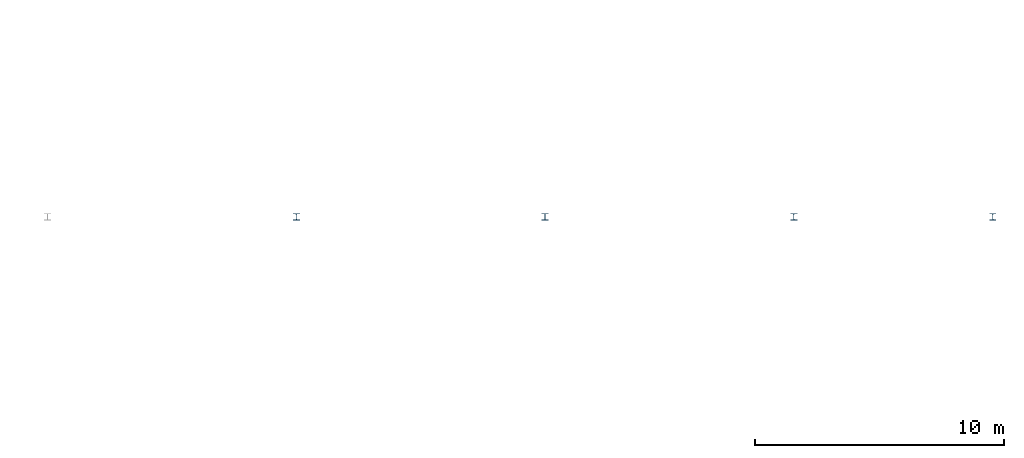
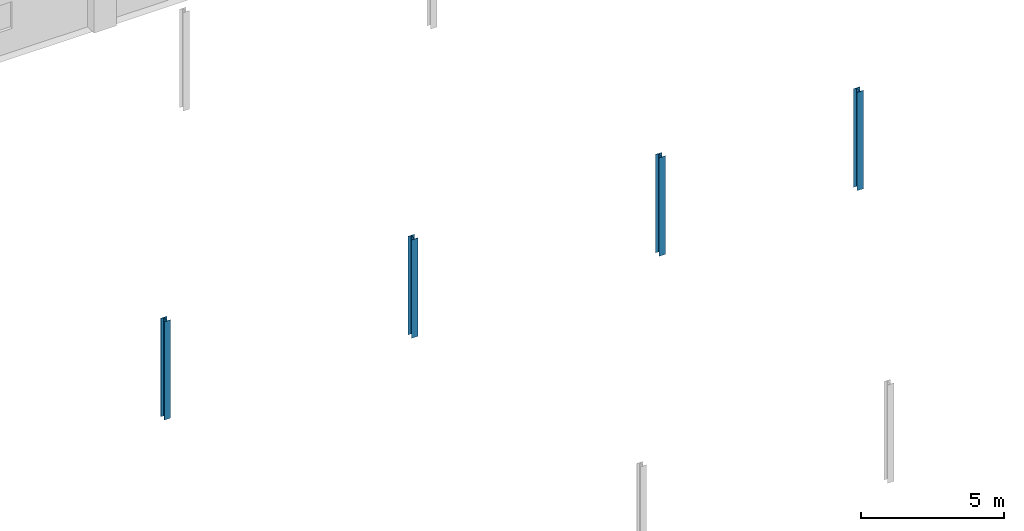
# One storey, part 17 of 100: 4 columns.
"""IFC4 building model written with IfcOpenShell, lengths in metres."""

from ifc_helpers import new_model, si_unit, direction, frame, origin, origin_2d, place, context, subcontext, project, spatial, i_section, extrude, material, material_profile, profile_set, type_object, element, save


model = new_model("IFC4")

# Units and contexts
model_context = context("Model", 3, precision=1e-05, world=origin(), true_north=direction((0.0, 1.0)))
body_context = subcontext(model_context, "Body", "Model", "MODEL_VIEW")
ifc_project = project(units=[si_unit("LENGTHUNIT", "METRE"), si_unit("AREAUNIT", "SQUARE_METRE"), si_unit("VOLUMEUNIT", "CUBIC_METRE"), si_unit("PLANEANGLEUNIT", "RADIAN"), si_unit("MASSUNIT", "GRAM", prefix="KILO")], contexts=[model_context])

# Site, building, storey
site_placement = place(None, origin())
site = spatial("IfcSite", under=ifc_project, at=site_placement, CompositionType="ELEMENT")
building_placement = place(site_placement, origin())
building = spatial("IfcBuilding", under=site, at=building_placement, Name="Kivolera Central Railway Station", CompositionType="ELEMENT")
storey_placement = place(building_placement, frame((0.0, 0.0, 5.39990234375)))
storey = spatial("IfcBuildingStorey", under=building, at=storey_placement, Name="L01", CompositionType="ELEMENT", Elevation=5.39990234375)

# Columns
ifc_material = material(Name="Steel S355", Category="steel")
ifc_material_profile = material_profile(ifc_material, i_section(OverallWidth=0.25634765625, OverallDepth=0.26025390625, WebThickness=0.01025390625, FlangeThickness=0.017333984375, FilletRadius=0.0126953125, at=origin_2d()), Name="UC 254x254x89")
ifc_profile_set = profile_set([ifc_material_profile], Name="Steel S355")
column_type = type_object("IfcColumnType", Name="COL-STL-UC254", PredefinedType="COLUMN", material=ifc_profile_set)
for number, where, z_axis, x_axis, name in (
    (1, (168.0, 32.0, 0.0), (0.0, 0.0, 1.0), (1.0, 0.0, 0.0), "L01 Train Shed Column 17-C"),
    (2, (178.0, 32.0, 0.0), (0.0, 0.0, 1.0), (1.0, 0.0, 0.0), "L01 Train Shed Column 18-C"),
    (3, (188.0, 32.0, 0.0), (0.0, 0.0, 1.0), (1.0, 0.0, 0.0), "L01 Train Shed Column 19-C"),
    (4, (196.0, 32.0, 0.0), (0.0, 0.0, 1.0), (1.0, 0.0, 0.0), "L01 Train Shed Column 20-C"),
):
    element("IfcColumn", number, at=place(storey_placement, frame(where, z_axis=z_axis, x_axis=x_axis)), inside=storey, type_object=column_type, Name=name, PredefinedType="COLUMN", context=body_context, shape_type="SweptSolid", body=[
        extrude(i_section(OverallWidth=0.25634765625, OverallDepth=0.26025390625, WebThickness=0.01025390625, FlangeThickness=0.017333984375, FilletRadius=0.0126953125, at=origin_2d()), origin(), (0.0, 0.0, 1.0), 4.2001953125),
    ])

save(model, "model.ifc")
